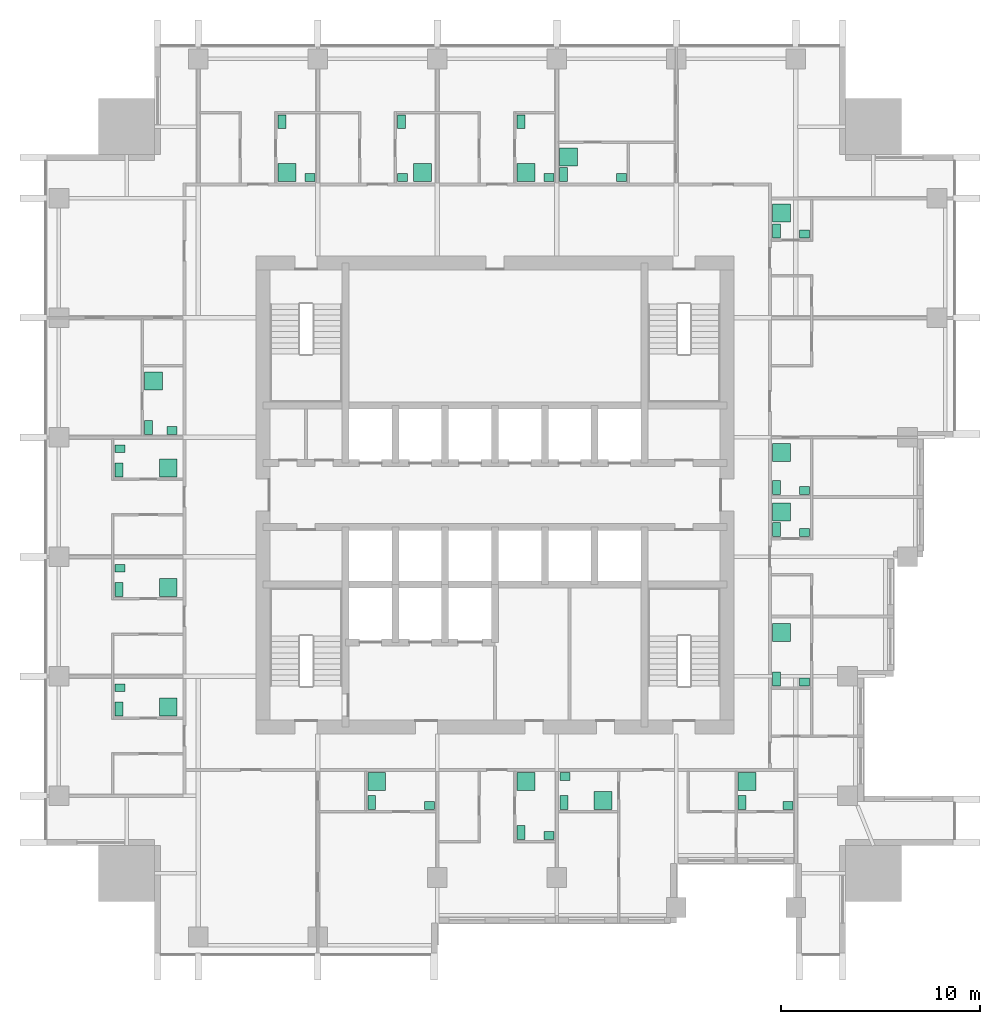
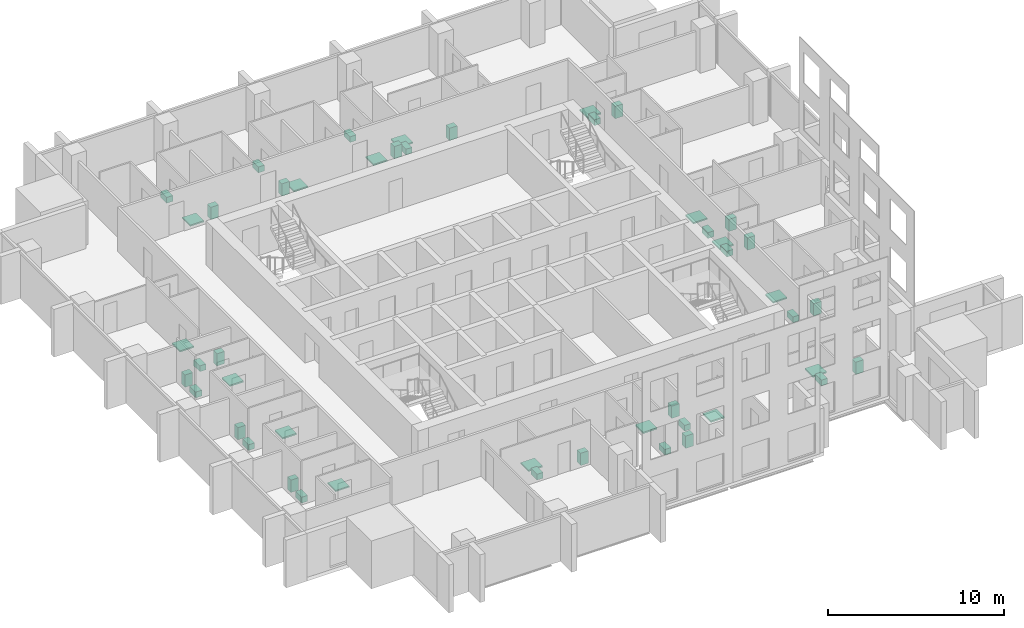
# One storey, part 11 of 11: 48 sanitary terminals.
"""IFC4 building model written with IfcOpenShell, lengths in metres."""

from ifc_helpers import new_model, si_unit, direction, frame, origin, origin_2d, place, context, subcontext, project, spatial, rectangle, extrude, element, save


model = new_model("IFC4")

# Units and contexts
model_context = context("Model", 3, precision=1e-05, world=origin(), true_north=direction((0.0, 1.0)))
body_context = subcontext(model_context, "Body", "Model", "MODEL_VIEW")
ifc_project = project(units=[si_unit("LENGTHUNIT", "METRE"), si_unit("AREAUNIT", "SQUARE_METRE"), si_unit("VOLUMEUNIT", "CUBIC_METRE"), si_unit("PLANEANGLEUNIT", "RADIAN"), si_unit("MASSUNIT", "GRAM", prefix="KILO")], contexts=[model_context])

# Site, building, storey
site_placement = place(None, origin())
site = spatial("IfcSite", under=ifc_project, at=site_placement, CompositionType="ELEMENT")
building_placement = place(site_placement, origin())
building = spatial("IfcBuilding", under=site, at=building_placement, Name="Amberfall Residences", CompositionType="ELEMENT")
storey_placement = place(building_placement, frame((0.0, 0.0, 154.89990234375)))
storey = spatial("IfcBuildingStorey", under=building, at=storey_placement, Name="L41", CompositionType="ELEMENT", Elevation=154.89990234375)

# Sanitary terminals
sanitary_terminal_1_placement = place(storey_placement, frame((68.31005859375, 30.06005859375, 0.000244140625), z_axis=(0.0, 0.0, 1.0), x_axis=(1.0, 0.0, 0.0)))
element("IfcSanitaryTerminal", 1, at=sanitary_terminal_1_placement, inside=storey, Name="Water closet 4101", PredefinedType="TOILETPAN", context=body_context, shape_type="SweptSolid", body=[
    extrude(rectangle(XDim=0.39990234375, YDim=0.699951171875, at=origin_2d()), origin(), (0.0, 0.0, 1.0), 0.39990234375),
])
sanitary_terminal_2_placement = place(storey_placement, frame((71.215087890625, 29.909912109375, 0.0), z_axis=(0.0, 0.0, 1.0), x_axis=(1.0, 0.0, 0.0)))
element("IfcSanitaryTerminal", 2, at=sanitary_terminal_2_placement, inside=storey, Name="Basin 4101", PredefinedType="WASHHANDBASIN", context=body_context, shape_type="SweptSolid", body=[
    extrude(rectangle(XDim=0.5, YDim=0.39990234375, at=origin_2d()), origin(), (0.0, 0.0, 1.0), 0.85009765625),
])
sanitary_terminal_3_placement = place(storey_placement, frame((68.56005859375, 31.114990234375, 0.0), z_axis=(0.0, 0.0, 1.0), x_axis=(1.0, 0.0, 0.0)))
element("IfcSanitaryTerminal", 3, at=sanitary_terminal_3_placement, inside=storey, Name="Shower tray 4101", PredefinedType="SHOWER", context=body_context, shape_type="SweptSolid", body=[
    extrude(rectangle(XDim=0.89990234375, YDim=0.89990234375, at=origin_2d()), origin(), (0.0, 0.0, 1.0), 0.10009765625),
])
sanitary_terminal_4_placement = place(storey_placement, frame((75.81005859375, 28.56005859375, 0.000244140625), z_axis=(0.0, 0.0, 1.0), x_axis=(1.0, 0.0, 0.0)))
element("IfcSanitaryTerminal", 4, at=sanitary_terminal_4_placement, inside=storey, Name="Water closet 4102", PredefinedType="TOILETPAN", context=body_context, shape_type="SweptSolid", body=[
    extrude(rectangle(XDim=0.39990234375, YDim=0.699951171875, at=origin_2d()), origin(), (0.0, 0.0, 1.0), 0.39990234375),
])
sanitary_terminal_5_placement = place(storey_placement, frame((77.215087890625, 28.409912109375, 0.0), z_axis=(0.0, 0.0, 1.0), x_axis=(1.0, 0.0, 0.0)))
element("IfcSanitaryTerminal", 5, at=sanitary_terminal_5_placement, inside=storey, Name="Basin 4102", PredefinedType="WASHHANDBASIN", context=body_context, shape_type="SweptSolid", body=[
    extrude(rectangle(XDim=0.5, YDim=0.39990234375, at=origin_2d()), origin(), (0.0, 0.0, 1.0), 0.85009765625),
])
sanitary_terminal_6_placement = place(storey_placement, frame((76.06005859375, 31.114990234375, 0.0), z_axis=(0.0, 0.0, 1.0), x_axis=(1.0, 0.0, 0.0)))
element("IfcSanitaryTerminal", 6, at=sanitary_terminal_6_placement, inside=storey, Name="Shower tray 4102", PredefinedType="SHOWER", context=body_context, shape_type="SweptSolid", body=[
    extrude(rectangle(XDim=0.89990234375, YDim=0.89990234375, at=origin_2d()), origin(), (0.0, 0.0, 1.0), 0.10009765625),
])
sanitary_terminal_7_placement = place(storey_placement, frame((77.9599609375, 30.06005859375, 0.000244140625), z_axis=(0.0, 0.0, 1.0), x_axis=(1.0, 0.0, 0.0)))
element("IfcSanitaryTerminal", 7, at=sanitary_terminal_7_placement, inside=storey, Name="Water closet 4103", PredefinedType="TOILETPAN", context=body_context, shape_type="SweptSolid", body=[
    extrude(rectangle(XDim=0.39990234375, YDim=0.699951171875, at=origin_2d()), origin(), (0.0, 0.0, 1.0), 0.39990234375),
])
sanitary_terminal_8_placement = place(storey_placement, frame((78.010009765625, 31.364990234375, 0.0), z_axis=(0.0, 0.0, 1.0), x_axis=(1.0, 0.0, 0.0)))
element("IfcSanitaryTerminal", 8, at=sanitary_terminal_8_placement, inside=storey, Name="Basin 4103", PredefinedType="WASHHANDBASIN", context=body_context, shape_type="SweptSolid", body=[
    extrude(rectangle(XDim=0.5, YDim=0.39990234375, at=origin_2d()), origin(), (0.0, 0.0, 1.0), 0.85009765625),
])
sanitary_terminal_9_placement = place(storey_placement, frame((79.925537109375, 30.159912109375, 0.0), z_axis=(0.0, 0.0, 1.0), x_axis=(1.0, 0.0, 0.0)))
element("IfcSanitaryTerminal", 9, at=sanitary_terminal_9_placement, inside=storey, Name="Shower tray 4103", PredefinedType="SHOWER", context=body_context, shape_type="SweptSolid", body=[
    extrude(rectangle(XDim=0.89990234375, YDim=0.89990234375, at=origin_2d()), origin(), (0.0, 0.0, 1.0), 0.10009765625),
])
sanitary_terminal_10_placement = place(storey_placement, frame((86.909912109375, 30.06005859375, 0.000244140625), z_axis=(0.0, 0.0, 1.0), x_axis=(1.0, 0.0, 0.0)))
element("IfcSanitaryTerminal", 10, at=sanitary_terminal_10_placement, inside=storey, Name="Water closet 4103", PredefinedType="TOILETPAN", context=body_context, shape_type="SweptSolid", body=[
    extrude(rectangle(XDim=0.39990234375, YDim=0.699951171875, at=origin_2d()), origin(), (0.0, 0.0, 1.0), 0.39990234375),
])
sanitary_terminal_11_placement = place(storey_placement, frame((89.215087890625, 29.909912109375, 0.0), z_axis=(0.0, 0.0, 1.0), x_axis=(1.0, 0.0, 0.0)))
element("IfcSanitaryTerminal", 11, at=sanitary_terminal_11_placement, inside=storey, Name="Basin 4103", PredefinedType="WASHHANDBASIN", context=body_context, shape_type="SweptSolid", body=[
    extrude(rectangle(XDim=0.5, YDim=0.39990234375, at=origin_2d()), origin(), (0.0, 0.0, 1.0), 0.85009765625),
])
sanitary_terminal_12_placement = place(storey_placement, frame((87.159912109375, 31.114990234375, 0.0), z_axis=(0.0, 0.0, 1.0), x_axis=(1.0, 0.0, 0.0)))
element("IfcSanitaryTerminal", 12, at=sanitary_terminal_12_placement, inside=storey, Name="Shower tray 4103", PredefinedType="SHOWER", context=body_context, shape_type="SweptSolid", body=[
    extrude(rectangle(XDim=0.89990234375, YDim=0.89990234375, at=origin_2d()), origin(), (0.0, 0.0, 1.0), 0.10009765625),
])
sanitary_terminal_13_placement = place(storey_placement, frame((88.635009765625, 36.260009765625, 0.000244140625), z_axis=(0.0, 0.0, 1.0), x_axis=(1.0, 0.0, 0.0)))
element("IfcSanitaryTerminal", 13, at=sanitary_terminal_13_placement, inside=storey, Name="Water closet 4104", PredefinedType="TOILETPAN", context=body_context, shape_type="SweptSolid", body=[
    extrude(rectangle(XDim=0.39990234375, YDim=0.699951171875, at=origin_2d()), origin(), (0.0, 0.0, 1.0), 0.39990234375),
])
sanitary_terminal_14_placement = place(storey_placement, frame((90.0400390625, 36.110107421875, 0.0), z_axis=(0.0, 0.0, 1.0), x_axis=(1.0, 0.0, 0.0)))
element("IfcSanitaryTerminal", 14, at=sanitary_terminal_14_placement, inside=storey, Name="Basin 4104", PredefinedType="WASHHANDBASIN", context=body_context, shape_type="SweptSolid", body=[
    extrude(rectangle(XDim=0.5, YDim=0.39990234375, at=origin_2d()), origin(), (0.0, 0.0, 1.0), 0.85009765625),
])
sanitary_terminal_15_placement = place(storey_placement, frame((88.885009765625, 38.591796875, 0.0), z_axis=(0.0, 0.0, 1.0), x_axis=(1.0, 0.0, 0.0)))
element("IfcSanitaryTerminal", 15, at=sanitary_terminal_15_placement, inside=storey, Name="Shower tray 4104", PredefinedType="SHOWER", context=body_context, shape_type="SweptSolid", body=[
    extrude(rectangle(XDim=0.89990234375, YDim=0.89990234375, at=origin_2d()), origin(), (0.0, 0.0, 1.0), 0.10009765625),
])
sanitary_terminal_16_placement = place(storey_placement, frame((88.635009765625, 43.760009765625, 0.000244140625), z_axis=(0.0, 0.0, 1.0), x_axis=(1.0, 0.0, 0.0)))
element("IfcSanitaryTerminal", 16, at=sanitary_terminal_16_placement, inside=storey, Name="Water closet 4105", PredefinedType="TOILETPAN", context=body_context, shape_type="SweptSolid", body=[
    extrude(rectangle(XDim=0.39990234375, YDim=0.699951171875, at=origin_2d()), origin(), (0.0, 0.0, 1.0), 0.39990234375),
])
sanitary_terminal_17_placement = place(storey_placement, frame((90.0400390625, 43.610107421875, 0.0), z_axis=(0.0, 0.0, 1.0), x_axis=(1.0, 0.0, 0.0)))
element("IfcSanitaryTerminal", 17, at=sanitary_terminal_17_placement, inside=storey, Name="Basin 4105", PredefinedType="WASHHANDBASIN", context=body_context, shape_type="SweptSolid", body=[
    extrude(rectangle(XDim=0.5, YDim=0.39990234375, at=origin_2d()), origin(), (0.0, 0.0, 1.0), 0.85009765625),
])
sanitary_terminal_18_placement = place(storey_placement, frame((88.885009765625, 44.65576171875, 0.0), z_axis=(0.0, 0.0, 1.0), x_axis=(1.0, 0.0, 0.0)))
element("IfcSanitaryTerminal", 18, at=sanitary_terminal_18_placement, inside=storey, Name="Shower tray 4105", PredefinedType="SHOWER", context=body_context, shape_type="SweptSolid", body=[
    extrude(rectangle(XDim=0.89990234375, YDim=0.89990234375, at=origin_2d()), origin(), (0.0, 0.0, 1.0), 0.10009765625),
])
sanitary_terminal_19_placement = place(storey_placement, frame((88.635009765625, 45.885009765625, 0.000244140625), z_axis=(0.0, 0.0, 1.0), x_axis=(1.0, 0.0, 0.0)))
element("IfcSanitaryTerminal", 19, at=sanitary_terminal_19_placement, inside=storey, Name="Water closet 4106", PredefinedType="TOILETPAN", context=body_context, shape_type="SweptSolid", body=[
    extrude(rectangle(XDim=0.39990234375, YDim=0.699951171875, at=origin_2d()), origin(), (0.0, 0.0, 1.0), 0.39990234375),
])
sanitary_terminal_20_placement = place(storey_placement, frame((90.0400390625, 45.735107421875, 0.0), z_axis=(0.0, 0.0, 1.0), x_axis=(1.0, 0.0, 0.0)))
element("IfcSanitaryTerminal", 20, at=sanitary_terminal_20_placement, inside=storey, Name="Basin 4106", PredefinedType="WASHHANDBASIN", context=body_context, shape_type="SweptSolid", body=[
    extrude(rectangle(XDim=0.5, YDim=0.39990234375, at=origin_2d()), origin(), (0.0, 0.0, 1.0), 0.85009765625),
])
sanitary_terminal_21_placement = place(storey_placement, frame((88.885009765625, 47.6337890625, 0.0), z_axis=(0.0, 0.0, 1.0), x_axis=(1.0, 0.0, 0.0)))
element("IfcSanitaryTerminal", 21, at=sanitary_terminal_21_placement, inside=storey, Name="Shower tray 4106", PredefinedType="SHOWER", context=body_context, shape_type="SweptSolid", body=[
    extrude(rectangle(XDim=0.89990234375, YDim=0.89990234375, at=origin_2d()), origin(), (0.0, 0.0, 1.0), 0.10009765625),
])
sanitary_terminal_22_placement = place(storey_placement, frame((88.635009765625, 58.760009765625, 0.000244140625), z_axis=(0.0, 0.0, 1.0), x_axis=(1.0, 0.0, 0.0)))
element("IfcSanitaryTerminal", 22, at=sanitary_terminal_22_placement, inside=storey, Name="Water closet 4107", PredefinedType="TOILETPAN", context=body_context, shape_type="SweptSolid", body=[
    extrude(rectangle(XDim=0.39990234375, YDim=0.699951171875, at=origin_2d()), origin(), (0.0, 0.0, 1.0), 0.39990234375),
])
sanitary_terminal_23_placement = place(storey_placement, frame((90.0400390625, 58.610107421875, 0.0), z_axis=(0.0, 0.0, 1.0), x_axis=(1.0, 0.0, 0.0)))
element("IfcSanitaryTerminal", 23, at=sanitary_terminal_23_placement, inside=storey, Name="Basin 4107", PredefinedType="WASHHANDBASIN", context=body_context, shape_type="SweptSolid", body=[
    extrude(rectangle(XDim=0.5, YDim=0.39990234375, at=origin_2d()), origin(), (0.0, 0.0, 1.0), 0.85009765625),
])
sanitary_terminal_24_placement = place(storey_placement, frame((88.885009765625, 59.65576171875, 0.0), z_axis=(0.0, 0.0, 1.0), x_axis=(1.0, 0.0, 0.0)))
element("IfcSanitaryTerminal", 24, at=sanitary_terminal_24_placement, inside=storey, Name="Shower tray 4107", PredefinedType="SHOWER", context=body_context, shape_type="SweptSolid", body=[
    extrude(rectangle(XDim=0.89990234375, YDim=0.89990234375, at=origin_2d()), origin(), (0.0, 0.0, 1.0), 0.10009765625),
])
sanitary_terminal_25_placement = place(storey_placement, frame((63.81005859375, 64.239990234375, 0.000244140625), z_axis=(0.0, 0.0, 1.0), x_axis=(1.0, 0.0, 0.0)))
element("IfcSanitaryTerminal", 25, at=sanitary_terminal_25_placement, inside=storey, Name="Water closet 4108", PredefinedType="TOILETPAN", context=body_context, shape_type="SweptSolid", body=[
    extrude(rectangle(XDim=0.39990234375, YDim=0.699951171875, at=origin_2d()), origin(), (0.0, 0.0, 1.0), 0.39990234375),
])
sanitary_terminal_26_placement = place(storey_placement, frame((65.215087890625, 61.43505859375, 0.0), z_axis=(0.0, 0.0, 1.0), x_axis=(1.0, 0.0, 0.0)))
element("IfcSanitaryTerminal", 26, at=sanitary_terminal_26_placement, inside=storey, Name="Basin 4108", PredefinedType="WASHHANDBASIN", context=body_context, shape_type="SweptSolid", body=[
    extrude(rectangle(XDim=0.5, YDim=0.39990234375, at=origin_2d()), origin(), (0.0, 0.0, 1.0), 0.85009765625),
])
sanitary_terminal_27_placement = place(storey_placement, frame((64.06005859375, 61.68505859375, 0.0), z_axis=(0.0, 0.0, 1.0), x_axis=(1.0, 0.0, 0.0)))
element("IfcSanitaryTerminal", 27, at=sanitary_terminal_27_placement, inside=storey, Name="Shower tray 4108", PredefinedType="SHOWER", context=body_context, shape_type="SweptSolid", body=[
    extrude(rectangle(XDim=0.89990234375, YDim=0.89990234375, at=origin_2d()), origin(), (0.0, 0.0, 1.0), 0.10009765625),
])
sanitary_terminal_28_placement = place(storey_placement, frame((69.81005859375, 64.239990234375, 0.000244140625), z_axis=(0.0, 0.0, 1.0), x_axis=(1.0, 0.0, 0.0)))
element("IfcSanitaryTerminal", 28, at=sanitary_terminal_28_placement, inside=storey, Name="Water closet 4109", PredefinedType="TOILETPAN", context=body_context, shape_type="SweptSolid", body=[
    extrude(rectangle(XDim=0.39990234375, YDim=0.699951171875, at=origin_2d()), origin(), (0.0, 0.0, 1.0), 0.39990234375),
])
sanitary_terminal_29_placement = place(storey_placement, frame((69.860107421875, 61.43505859375, 0.0), z_axis=(0.0, 0.0, 1.0), x_axis=(1.0, 0.0, 0.0)))
element("IfcSanitaryTerminal", 29, at=sanitary_terminal_29_placement, inside=storey, Name="Basin 4109", PredefinedType="WASHHANDBASIN", context=body_context, shape_type="SweptSolid", body=[
    extrude(rectangle(XDim=0.5, YDim=0.39990234375, at=origin_2d()), origin(), (0.0, 0.0, 1.0), 0.85009765625),
])
sanitary_terminal_30_placement = place(storey_placement, frame((70.855712890625, 61.68505859375, 0.0), z_axis=(0.0, 0.0, 1.0), x_axis=(1.0, 0.0, 0.0)))
element("IfcSanitaryTerminal", 30, at=sanitary_terminal_30_placement, inside=storey, Name="Shower tray 4109", PredefinedType="SHOWER", context=body_context, shape_type="SweptSolid", body=[
    extrude(rectangle(XDim=0.89990234375, YDim=0.89990234375, at=origin_2d()), origin(), (0.0, 0.0, 1.0), 0.10009765625),
])
sanitary_terminal_31_placement = place(storey_placement, frame((75.81005859375, 64.239990234375, 0.000244140625), z_axis=(0.0, 0.0, 1.0), x_axis=(1.0, 0.0, 0.0)))
element("IfcSanitaryTerminal", 31, at=sanitary_terminal_31_placement, inside=storey, Name="Water closet 4110", PredefinedType="TOILETPAN", context=body_context, shape_type="SweptSolid", body=[
    extrude(rectangle(XDim=0.39990234375, YDim=0.699951171875, at=origin_2d()), origin(), (0.0, 0.0, 1.0), 0.39990234375),
])
sanitary_terminal_32_placement = place(storey_placement, frame((77.215087890625, 61.43505859375, 0.0), z_axis=(0.0, 0.0, 1.0), x_axis=(1.0, 0.0, 0.0)))
element("IfcSanitaryTerminal", 32, at=sanitary_terminal_32_placement, inside=storey, Name="Basin 4110", PredefinedType="WASHHANDBASIN", context=body_context, shape_type="SweptSolid", body=[
    extrude(rectangle(XDim=0.5, YDim=0.39990234375, at=origin_2d()), origin(), (0.0, 0.0, 1.0), 0.85009765625),
])
sanitary_terminal_33_placement = place(storey_placement, frame((76.06005859375, 61.68505859375, 0.0), z_axis=(0.0, 0.0, 1.0), x_axis=(1.0, 0.0, 0.0)))
element("IfcSanitaryTerminal", 33, at=sanitary_terminal_33_placement, inside=storey, Name="Shower tray 4110", PredefinedType="SHOWER", context=body_context, shape_type="SweptSolid", body=[
    extrude(rectangle(XDim=0.89990234375, YDim=0.89990234375, at=origin_2d()), origin(), (0.0, 0.0, 1.0), 0.10009765625),
])
sanitary_terminal_34_placement = place(storey_placement, frame((77.93505859375, 61.5849609375, 0.000244140625), z_axis=(0.0, 0.0, 1.0), x_axis=(1.0, 0.0, 0.0)))
element("IfcSanitaryTerminal", 34, at=sanitary_terminal_34_placement, inside=storey, Name="Water closet 4111", PredefinedType="TOILETPAN", context=body_context, shape_type="SweptSolid", body=[
    extrude(rectangle(XDim=0.39990234375, YDim=0.699951171875, at=origin_2d()), origin(), (0.0, 0.0, 1.0), 0.39990234375),
])
sanitary_terminal_35_placement = place(storey_placement, frame((80.840087890625, 61.43505859375, 0.0), z_axis=(0.0, 0.0, 1.0), x_axis=(1.0, 0.0, 0.0)))
element("IfcSanitaryTerminal", 35, at=sanitary_terminal_35_placement, inside=storey, Name="Basin 4111", PredefinedType="WASHHANDBASIN", context=body_context, shape_type="SweptSolid", body=[
    extrude(rectangle(XDim=0.5, YDim=0.39990234375, at=origin_2d()), origin(), (0.0, 0.0, 1.0), 0.85009765625),
])
sanitary_terminal_36_placement = place(storey_placement, frame((78.18505859375, 62.480712890625, 0.0), z_axis=(0.0, 0.0, 1.0), x_axis=(1.0, 0.0, 0.0)))
element("IfcSanitaryTerminal", 36, at=sanitary_terminal_36_placement, inside=storey, Name="Shower tray 4111", PredefinedType="SHOWER", context=body_context, shape_type="SweptSolid", body=[
    extrude(rectangle(XDim=0.89990234375, YDim=0.89990234375, at=origin_2d()), origin(), (0.0, 0.0, 1.0), 0.10009765625),
])
sanitary_terminal_37_placement = place(storey_placement, frame((55.610107421875, 34.760009765625, 0.000244140625), z_axis=(0.0, 0.0, 1.0), x_axis=(1.0, 0.0, 0.0)))
element("IfcSanitaryTerminal", 37, at=sanitary_terminal_37_placement, inside=storey, Name="Water closet 4112", PredefinedType="TOILETPAN", context=body_context, shape_type="SweptSolid", body=[
    extrude(rectangle(XDim=0.39990234375, YDim=0.699951171875, at=origin_2d()), origin(), (0.0, 0.0, 1.0), 0.39990234375),
])
sanitary_terminal_38_placement = place(storey_placement, frame((55.659912109375, 35.822509765625, 0.0), z_axis=(0.0, 0.0, 1.0), x_axis=(1.0, 0.0, 0.0)))
element("IfcSanitaryTerminal", 38, at=sanitary_terminal_38_placement, inside=storey, Name="Basin 4112", PredefinedType="WASHHANDBASIN", context=body_context, shape_type="SweptSolid", body=[
    extrude(rectangle(XDim=0.5, YDim=0.39990234375, at=origin_2d()), origin(), (0.0, 0.0, 1.0), 0.85009765625),
])
sanitary_terminal_39_placement = place(storey_placement, frame((58.091796875, 34.860107421875, 0.0), z_axis=(0.0, 0.0, 1.0), x_axis=(1.0, 0.0, 0.0)))
element("IfcSanitaryTerminal", 39, at=sanitary_terminal_39_placement, inside=storey, Name="Shower tray 4112", PredefinedType="SHOWER", context=body_context, shape_type="SweptSolid", body=[
    extrude(rectangle(XDim=0.89990234375, YDim=0.89990234375, at=origin_2d()), origin(), (0.0, 0.0, 1.0), 0.10009765625),
])
sanitary_terminal_40_placement = place(storey_placement, frame((55.610107421875, 40.760009765625, 0.000244140625), z_axis=(0.0, 0.0, 1.0), x_axis=(1.0, 0.0, 0.0)))
element("IfcSanitaryTerminal", 40, at=sanitary_terminal_40_placement, inside=storey, Name="Water closet 4113", PredefinedType="TOILETPAN", context=body_context, shape_type="SweptSolid", body=[
    extrude(rectangle(XDim=0.39990234375, YDim=0.699951171875, at=origin_2d()), origin(), (0.0, 0.0, 1.0), 0.39990234375),
])
sanitary_terminal_41_placement = place(storey_placement, frame((55.659912109375, 41.822509765625, 0.0), z_axis=(0.0, 0.0, 1.0), x_axis=(1.0, 0.0, 0.0)))
element("IfcSanitaryTerminal", 41, at=sanitary_terminal_41_placement, inside=storey, Name="Basin 4113", PredefinedType="WASHHANDBASIN", context=body_context, shape_type="SweptSolid", body=[
    extrude(rectangle(XDim=0.5, YDim=0.39990234375, at=origin_2d()), origin(), (0.0, 0.0, 1.0), 0.85009765625),
])
sanitary_terminal_42_placement = place(storey_placement, frame((58.091796875, 40.860107421875, 0.0), z_axis=(0.0, 0.0, 1.0), x_axis=(1.0, 0.0, 0.0)))
element("IfcSanitaryTerminal", 42, at=sanitary_terminal_42_placement, inside=storey, Name="Shower tray 4113", PredefinedType="SHOWER", context=body_context, shape_type="SweptSolid", body=[
    extrude(rectangle(XDim=0.89990234375, YDim=0.89990234375, at=origin_2d()), origin(), (0.0, 0.0, 1.0), 0.10009765625),
])
sanitary_terminal_43_placement = place(storey_placement, frame((55.610107421875, 46.760009765625, 0.000244140625), z_axis=(0.0, 0.0, 1.0), x_axis=(1.0, 0.0, 0.0)))
element("IfcSanitaryTerminal", 43, at=sanitary_terminal_43_placement, inside=storey, Name="Water closet 4114", PredefinedType="TOILETPAN", context=body_context, shape_type="SweptSolid", body=[
    extrude(rectangle(XDim=0.39990234375, YDim=0.699951171875, at=origin_2d()), origin(), (0.0, 0.0, 1.0), 0.39990234375),
])
sanitary_terminal_44_placement = place(storey_placement, frame((55.659912109375, 47.822509765625, 0.0), z_axis=(0.0, 0.0, 1.0), x_axis=(1.0, 0.0, 0.0)))
element("IfcSanitaryTerminal", 44, at=sanitary_terminal_44_placement, inside=storey, Name="Basin 4114", PredefinedType="WASHHANDBASIN", context=body_context, shape_type="SweptSolid", body=[
    extrude(rectangle(XDim=0.5, YDim=0.39990234375, at=origin_2d()), origin(), (0.0, 0.0, 1.0), 0.85009765625),
])
sanitary_terminal_45_placement = place(storey_placement, frame((58.091796875, 46.860107421875, 0.0), z_axis=(0.0, 0.0, 1.0), x_axis=(1.0, 0.0, 0.0)))
element("IfcSanitaryTerminal", 45, at=sanitary_terminal_45_placement, inside=storey, Name="Shower tray 4114", PredefinedType="SHOWER", context=body_context, shape_type="SweptSolid", body=[
    extrude(rectangle(XDim=0.89990234375, YDim=0.89990234375, at=origin_2d()), origin(), (0.0, 0.0, 1.0), 0.10009765625),
])
sanitary_terminal_46_placement = place(storey_placement, frame((57.110107421875, 48.885009765625, 0.000244140625), z_axis=(0.0, 0.0, 1.0), x_axis=(1.0, 0.0, 0.0)))
element("IfcSanitaryTerminal", 46, at=sanitary_terminal_46_placement, inside=storey, Name="Water closet 4115", PredefinedType="TOILETPAN", context=body_context, shape_type="SweptSolid", body=[
    extrude(rectangle(XDim=0.39990234375, YDim=0.699951171875, at=origin_2d()), origin(), (0.0, 0.0, 1.0), 0.39990234375),
])
sanitary_terminal_47_placement = place(storey_placement, frame((58.2890625, 48.735107421875, 0.0), z_axis=(0.0, 0.0, 1.0), x_axis=(1.0, 0.0, 0.0)))
element("IfcSanitaryTerminal", 47, at=sanitary_terminal_47_placement, inside=storey, Name="Basin 4115", PredefinedType="WASHHANDBASIN", context=body_context, shape_type="SweptSolid", body=[
    extrude(rectangle(XDim=0.5, YDim=0.39990234375, at=origin_2d()), origin(), (0.0, 0.0, 1.0), 0.85009765625),
])
sanitary_terminal_48_placement = place(storey_placement, frame((57.360107421875, 51.216796875, 0.0), z_axis=(0.0, 0.0, 1.0), x_axis=(1.0, 0.0, 0.0)))
element("IfcSanitaryTerminal", 48, at=sanitary_terminal_48_placement, inside=storey, Name="Shower tray 4115", PredefinedType="SHOWER", context=body_context, shape_type="SweptSolid", body=[
    extrude(rectangle(XDim=0.89990234375, YDim=0.89990234375, at=origin_2d()), origin(), (0.0, 0.0, 1.0), 0.10009765625),
])

save(model, "model.ifc")
